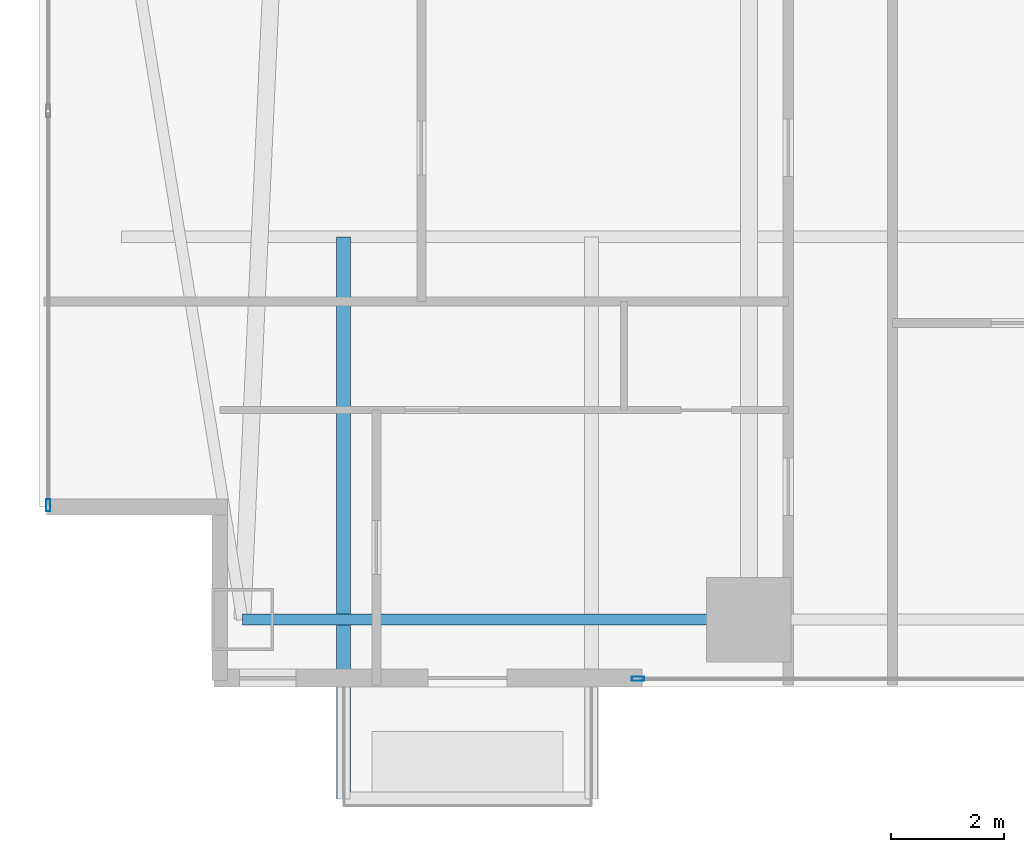
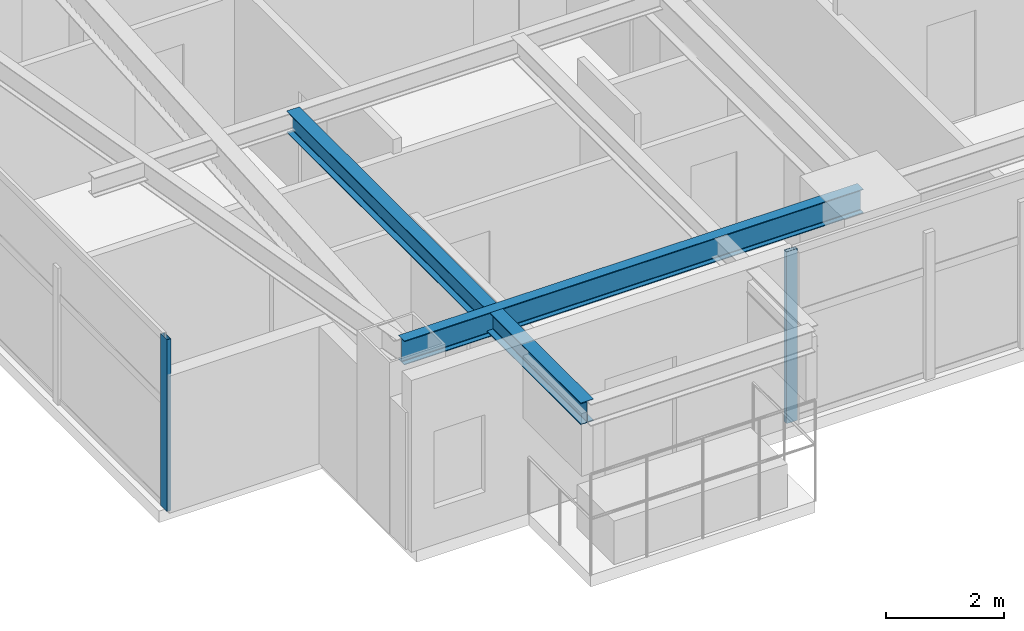
# One storey, part 2 of 29: 2 beams, 2 members, 2 elements without a shape of their own.
"""IFC4 building model written with IfcOpenShell, lengths in metres."""

from ifc_helpers import new_model, si_unit, direction, frame, origin, origin_2d, place, context, subcontext, project, spatial, hollow_rectangle, i_section, extrude, material, layer, layer_set, material_profile, profile_set, type_object, element, aggregate, save


model = new_model("IFC4")

# Units and contexts
model_context = context("Model", 3, precision=1e-05, world=origin(), true_north=direction((0.0, 1.0)))
body_context = subcontext(model_context, "Body", "Model", "MODEL_VIEW")
ifc_project = project(units=[si_unit("LENGTHUNIT", "METRE"), si_unit("AREAUNIT", "SQUARE_METRE"), si_unit("VOLUMEUNIT", "CUBIC_METRE"), si_unit("PLANEANGLEUNIT", "RADIAN"), si_unit("MASSUNIT", "GRAM", prefix="KILO")], contexts=[model_context])

# Site, building, storey
site_placement = place(None, origin())
site = spatial("IfcSite", under=ifc_project, at=site_placement, CompositionType="ELEMENT")
building_placement = place(site_placement, origin())
building = spatial("IfcBuilding", under=site, at=building_placement, Name="Calvorn Quay Hotel", CompositionType="ELEMENT")
storey_placement = place(building_placement, frame((0.0, 0.0, 69.800048828125)))
storey = spatial("IfcBuildingStorey", under=building, at=storey_placement, Name="L16", CompositionType="ELEMENT", Elevation=69.800048828125)

# Beams
ifc_material_1 = material(Name="Steel Q355B", Category="steel")
ifc_material_profile_1 = material_profile(ifc_material_1, i_section(OverallWidth=0.25, OverallDepth=0.449951171875, WebThickness=0.011962890625, FlangeThickness=0.01611328125, FilletRadius=0.01611328125, at=origin_2d()), Name="HN450x250x12x16")
ifc_profile_set_1 = profile_set([ifc_material_profile_1], Name="Steel Q355B")
beam_type_1 = type_object("IfcBeamType", Name="BM-CANT-BALC", PredefinedType="BEAM", material=ifc_profile_set_1)
beam_1_placement = place(storey_placement, frame((5.39990234375, 10.39990234375, 3.31494140625), z_axis=(0.0, -1.0, 0.0), x_axis=(1.0, 0.0, 0.0)))
element("IfcBeam", 1, at=beam_1_placement, inside=storey, type_object=beam_type_1, Name="Cantilever Balcony Beam BCB-L17-2A", PredefinedType="BEAM", context=body_context, shape_type="SweptSolid", body=[
    extrude(i_section(OverallWidth=0.25, OverallDepth=0.449951171875, WebThickness=0.011962890625, FlangeThickness=0.01611328125, FilletRadius=0.01611328125, at=origin_2d()), origin(), (0.0, 0.0, 1.0), 9.989990234375),
])
ifc_material_2 = material(Name="Steel Q355B", Category="steel")
ifc_material_profile_2 = material_profile(ifc_material_2, i_section(OverallWidth=0.199951171875, OverallDepth=0.5, WebThickness=0.010009765625, FlangeThickness=0.01611328125, FilletRadius=0.01611328125, at=origin_2d()), Name="HN500x200x10x16")
ifc_profile_set_2 = profile_set([ifc_material_profile_2], Name="Steel Q355B")
beam_type_2 = type_object("IfcBeamType", Name="BM-SPANDREL-Z1", PredefinedType="SPANDREL", material=ifc_profile_set_2)
beam_2_placement = place(storey_placement, frame((3.60009765625, 3.60009765625, 3.2900390625), z_axis=(1.0, 0.0, 0.0), x_axis=(0.0, 1.0, 0.0)))
element("IfcBeam", 2, at=beam_2_placement, inside=storey, type_object=beam_type_2, Name="Beam BSP-L16-S1", PredefinedType="SPANDREL", context=body_context, shape_type="SweptSolid", body=[
    extrude(i_section(OverallWidth=0.199951171875, OverallDepth=0.5, WebThickness=0.010009765625, FlangeThickness=0.01611328125, FilletRadius=0.01611328125, at=origin_2d()), origin(), (0.0, 0.0, 1.0), 9.0),
])

# Curtain wall, member
ifc_material_3 = material(Name="Pale Anodised Aluminium and Low-E Glass", Category="aluminium")
ifc_layer = layer(ifc_material_3, 0.219970703125)
ifc_layer_set = layer_set([ifc_layer], Name="CW-SYS-Z1")
curtain_wall_type = type_object("IfcCurtainWallType", Name="CW-SYS-Z1", PredefinedType="NOTDEFINED", material=ifc_layer_set)
curtain_wall_1_placement = place(storey_placement, origin())
curtain_wall_1 = element("IfcCurtainWall", 3, at=curtain_wall_1_placement, inside=storey, type_object=curtain_wall_type, Name="Tower West Curtain Wall (L16)", PredefinedType="NOTDEFINED")
ifc_material_4 = material(Name="Pale Anodised Aluminium 6063-T6", Category="aluminium")
ifc_material_profile_3 = material_profile(ifc_material_4, hollow_rectangle(XDim=0.074951171875, YDim=0.219970703125, WallThickness=0.00439453125, at=origin_2d()), Name="ALU-M220x75x4.5")
ifc_profile_set_3 = profile_set([ifc_material_profile_3], Name="Pale Anodised Aluminium 6063-T6")
member_type = type_object("IfcMemberType", Name="CW-SYS-Z1-MUL", PredefinedType="MULLION", material=ifc_profile_set_3)
member_1_placement = place(storey_placement, frame((0.14990234375, 5.6298828125, 0.0), z_axis=(0.0, 0.0, 1.0), x_axis=(-1.0, 0.0, 0.0)))
member_1 = element("IfcMember", 4, at=member_1_placement, type_object=member_type, Name="CW-L16-W mullion 1", PredefinedType="MULLION", context=body_context, shape_type="SweptSolid", body=[
    extrude(hollow_rectangle(XDim=0.074951171875, YDim=0.219970703125, WallThickness=0.00439453125, at=origin_2d()), origin(), (0.0, 0.0, 1.0), 3.56005859375),
])
aggregate(curtain_wall_1, [member_1])

curtain_wall_2_placement = place(storey_placement, origin())
curtain_wall_2 = element("IfcCurtainWall", 5, at=curtain_wall_2_placement, inside=storey, type_object=curtain_wall_type, Name="Tower South Waterfront Curtain Wall (L16)", PredefinedType="NOTDEFINED")
member_2_placement = place(storey_placement, frame((10.6298828125, 2.550048828125, 0.0), z_axis=(0.0, 0.0, 1.0), x_axis=(0.0, 1.0, 0.0)))
member_2 = element("IfcMember", 6, at=member_2_placement, type_object=member_type, Name="CW-L16-S mullion 1", PredefinedType="MULLION", context=body_context, shape_type="SweptSolid", body=[
    extrude(hollow_rectangle(XDim=0.074951171875, YDim=0.219970703125, WallThickness=0.00439453125, at=origin_2d()), origin(), (0.0, 0.0, 1.0), 3.56005859375),
])
aggregate(curtain_wall_2, [member_2])

save(model, "model.ifc")
